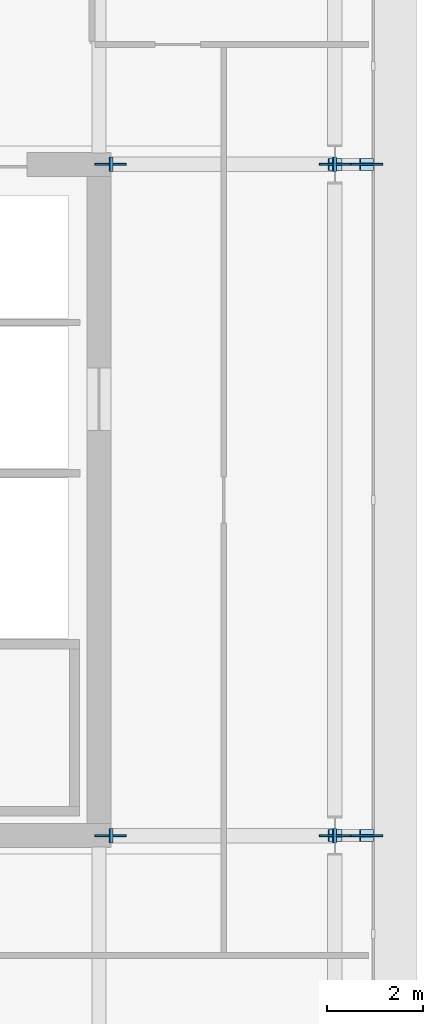
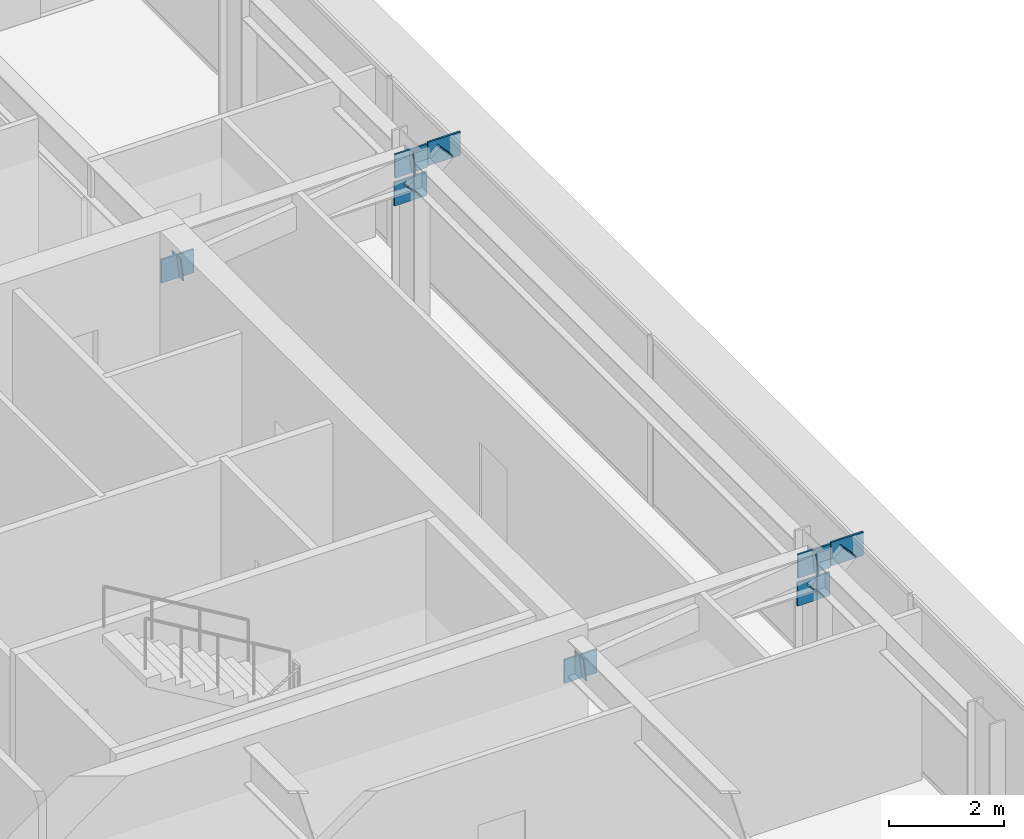
# One storey, part 10 of 19: 16 plates.
"""IFC4 building model written with IfcOpenShell, lengths in metres."""

from ifc_helpers import new_model, si_unit, direction, frame, origin, origin_2d, place, context, subcontext, project, spatial, rectangle, extrude, material, layer, layer_set, type_object, element, save


model = new_model("IFC4")

# Units and contexts
model_context = context("Model", 3, precision=1e-05, world=origin(), true_north=direction((0.0, 1.0)))
body_context = subcontext(model_context, "Body", "Model", "MODEL_VIEW")
ifc_project = project(units=[si_unit("LENGTHUNIT", "METRE"), si_unit("AREAUNIT", "SQUARE_METRE"), si_unit("VOLUMEUNIT", "CUBIC_METRE"), si_unit("PLANEANGLEUNIT", "RADIAN"), si_unit("MASSUNIT", "GRAM", prefix="KILO")], contexts=[model_context])

# Site, building, storey
site_placement = place(None, origin())
site = spatial("IfcSite", under=ifc_project, at=site_placement, CompositionType="ELEMENT")
building_placement = place(site_placement, origin())
building = spatial("IfcBuilding", under=site, at=building_placement, Name="Putna Gate Headquarters", CompositionType="ELEMENT")
storey_placement = place(building_placement, frame((0.0, 0.0, 255.60009765625)))
storey = spatial("IfcBuildingStorey", under=building, at=storey_placement, Name="L64", CompositionType="ELEMENT", Elevation=255.60009765625)

# Plates
ifc_material_1 = material(Name="Steel S355J2", Category="steel")
ifc_layer_1 = layer(ifc_material_1, 0.02001953125)
ifc_layer_set_1 = layer_set([ifc_layer_1], Name="Steel S355J2")
plate_type_1 = type_object("IfcPlateType", Name="PLT-CAP-EC-R400", PredefinedType="SHEET", material=ifc_layer_set_1)
for number, where, z_axis, x_axis, name in (
    (1, (69.9150390625, 19.0, 2.75), (0.737154140201, 0.0, 0.675724628517), (0.0, 1.0, 0.0), "L64 East Sail Cantilever Raker Y19 End Cap Start"),
    (2, (70.5732421875, 19.0, 3.3544921875), (0.737154140201, 0.0, 0.675724628517), (0.0, 1.0, 0.0), "L64 East Sail Cantilever Raker Y19 End Cap End"),
    (3, (69.9150390625, 33.0, 2.75), (0.737154140201, 0.0, 0.675724628517), (0.0, 1.0, 0.0), "L64 East Sail Cantilever Raker Y33 End Cap Start"),
    (4, (70.5732421875, 33.0, 3.3544921875), (0.737154140201, 0.0, 0.675724628517), (0.0, 1.0, 0.0), "L64 East Sail Cantilever Raker Y33 End Cap End"),
):
    element("IfcPlate", number, at=place(storey_placement, frame(where, z_axis=z_axis, x_axis=x_axis)), inside=storey, type_object=plate_type_1, Name=name, PredefinedType="SHEET", context=body_context, shape_type="SweptSolid", body=[
        extrude(rectangle(XDim=0.25, YDim=0.39990234375, at=origin_2d()), origin(), (0.0, 0.0, 1.0), 0.019775390625),
    ])
ifc_layer_2 = layer(ifc_material_1, 0.02001953125)
ifc_layer_set_2 = layer_set([ifc_layer_2], Name="Steel S355J2")
plate_type_2 = type_object("IfcPlateType", Name="PLT-CAP-EC-R500", PredefinedType="SHEET", material=ifc_layer_set_2)
for number, where, z_axis, x_axis, name in (
    (5, (65.239990234375, 19.0, 2.75), (0.992465233221, 0.0, 0.122526572003), (0.0, 1.0, 0.0), "L64 East Sail Transfer Arc Strut Y19 End Cap Start"),
    (6, (69.9052734375, 19.0, 3.33544921875), (0.992465233221, 0.0, 0.122526572003), (0.0, 1.0, 0.0), "L64 East Sail Transfer Arc Strut Y19 End Cap End"),
    (7, (65.239990234375, 33.0, 2.75), (0.992465233221, 0.0, 0.122526572003), (0.0, 1.0, 0.0), "L64 East Sail Transfer Arc Strut Y33 End Cap Start"),
    (8, (69.9052734375, 33.0, 3.33544921875), (0.992465233221, 0.0, 0.122526572003), (0.0, 1.0, 0.0), "L64 East Sail Transfer Arc Strut Y33 End Cap End"),
):
    element("IfcPlate", number, at=place(storey_placement, frame(where, z_axis=z_axis, x_axis=x_axis)), inside=storey, type_object=plate_type_2, Name=name, PredefinedType="SHEET", context=body_context, shape_type="SweptSolid", body=[
        extrude(rectangle(XDim=0.300048828125, YDim=0.5, at=origin_2d()), origin(), (0.0, 0.0, 1.0), 0.02001953125),
    ])
ifc_material_2 = material(Name="Steel S460M", Category="steel")
ifc_layer_3 = layer(ifc_material_2, 0.0380859375)
ifc_layer_set_3 = layer_set([ifc_layer_3], Name="Steel S460M")
plate_type_3 = type_object("IfcPlateType", Name="PLT-NODE-TN1", PredefinedType="SHEET", material=ifc_layer_set_3)
for number, where, z_axis, x_axis, name in (
    (9, (65.239990234375, 19.0, 2.5), (0.0, 0.0, 1.0), (1.0, 0.0, 0.0), "L64 Sail Transfer Node Plate TN1 Y19-1"),
    (10, (69.925048828125, 19.0, 3.087890625), (0.0, 0.0, 1.0), (1.0, 0.0, 0.0), "L64 Sail Transfer Node Plate TN1 Y19-2"),
    (11, (69.9150390625, 19.0, 2.5), (0.0, 0.0, 1.0), (1.0, 0.0, 0.0), "L64 Sail Raker Node Plate TN1 Y19-1"),
    (12, (70.587890625, 19.0, 3.117919921875), (0.0, 0.0, 1.0), (1.0, 0.0, 0.0), "L64 Sail Raker Node Plate TN1 Y19-2"),
    (13, (65.239990234375, 33.0, 2.5), (0.0, 0.0, 1.0), (1.0, 0.0, 0.0), "L64 Sail Transfer Node Plate TN1 Y33-1"),
    (14, (69.925048828125, 33.0, 3.087890625), (0.0, 0.0, 1.0), (1.0, 0.0, 0.0), "L64 Sail Transfer Node Plate TN1 Y33-2"),
    (15, (69.9150390625, 33.0, 2.5), (0.0, 0.0, 1.0), (1.0, 0.0, 0.0), "L64 Sail Raker Node Plate TN1 Y33-1"),
    (16, (70.587890625, 33.0, 3.117919921875), (0.0, 0.0, 1.0), (1.0, 0.0, 0.0), "L64 Sail Raker Node Plate TN1 Y33-2"),
):
    element("IfcPlate", number, at=place(storey_placement, frame(where, z_axis=z_axis, x_axis=x_axis)), inside=storey, type_object=plate_type_3, Name=name, PredefinedType="SHEET", context=body_context, shape_type="SweptSolid", body=[
        extrude(rectangle(XDim=0.64990234375, YDim=0.0380859375, at=origin_2d()), origin(), (0.0, 0.0, 1.0), 0.5),
    ])

save(model, "model.ifc")
